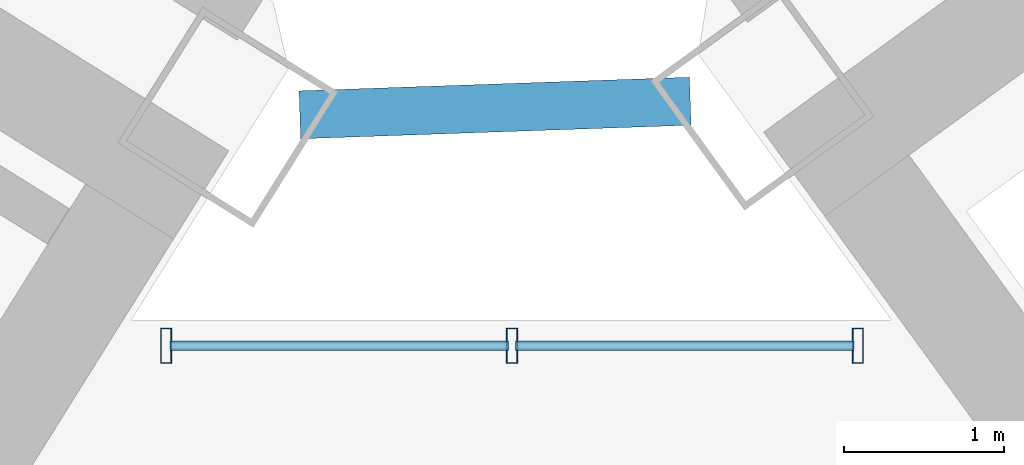
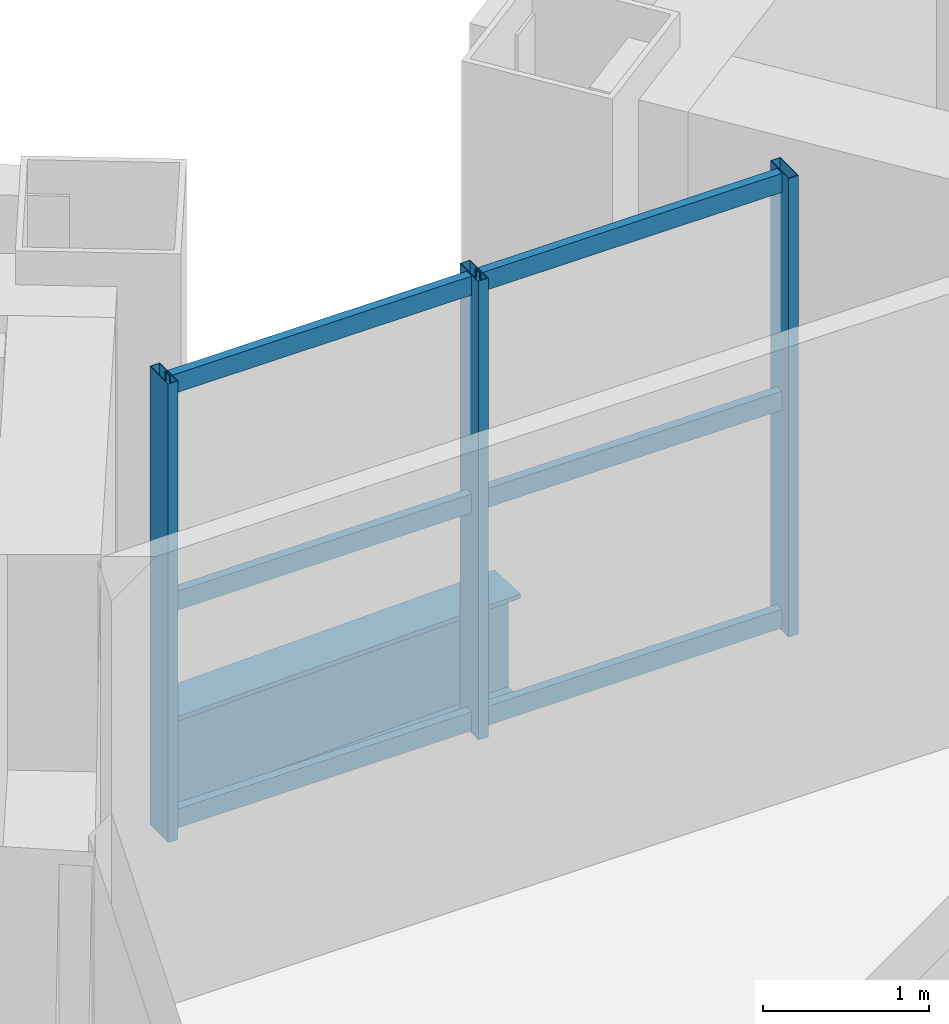
# One storey, part 11 of 24: 9 members, 1 beam, 1 element without a shape of its own.
"""IFC4 building model written with IfcOpenShell, lengths in metres."""

from ifc_helpers import new_model, si_unit, direction, frame, origin, origin_2d, place, context, subcontext, project, spatial, hollow_rectangle, i_section, extrude, source, transform, mapped, material, material_profile, profile_set, type_object, element, aggregate, save


model = new_model("IFC4")

# Units and contexts
model_context = context("Model", 3, precision=1e-05, world=origin(), true_north=direction((0.0, 1.0)))
body_context = subcontext(model_context, "Body", "Model", "MODEL_VIEW")
ifc_project = project(units=[si_unit("LENGTHUNIT", "METRE"), si_unit("AREAUNIT", "SQUARE_METRE"), si_unit("VOLUMEUNIT", "CUBIC_METRE"), si_unit("PLANEANGLEUNIT", "RADIAN"), si_unit("MASSUNIT", "GRAM", prefix="KILO")], contexts=[model_context])

# Site, building, storey
site_placement = place(None, origin())
site = spatial("IfcSite", under=ifc_project, at=site_placement, CompositionType="ELEMENT")
building_placement = place(site_placement, origin())
building = spatial("IfcBuilding", under=site, at=building_placement, Name="Tlacorven Tower", CompositionType="ELEMENT")
storey_placement = place(building_placement, frame((0.0, 0.0, 60.0)))
storey = spatial("IfcBuildingStorey", under=building, at=storey_placement, Name="L15", CompositionType="ELEMENT", Elevation=60.0)

# Beam
ifc_material_1 = material(Name="Steel S355J2", Category="steel")
ifc_material_profile_1 = material_profile(ifc_material_1, i_section(OverallWidth=0.300048828125, OverallDepth=0.800048828125, WebThickness=0.017578125, FlangeThickness=0.032958984375, at=origin_2d()), Name="HEB 800")
ifc_profile_set_1 = profile_set([ifc_material_profile_1], Name="Steel S355J2")
beam_type = type_object("IfcBeamType", Name="BM-POD-800", PredefinedType="BEAM", material=ifc_profile_set_1)
shared_shape_1 = source(origin(), body_context, "Body", "SweptSolid", [
    extrude(i_section(OverallWidth=0.300048828125, OverallDepth=0.800048828125, WebThickness=0.017578125, FlangeThickness=0.032958984375, at=origin_2d()), origin(), (0.0, 0.0, 1.0), 2.44287109375),
])
beam_placement = place(storey_placement, frame((41.232666015625, 24.484130859375, -0.64990234375), z_axis=(0.999391550767, 0.034878765122, 0.0), x_axis=(-0.034878765122, 0.999391550767, 0.0)))
element("IfcBeam", 1, at=beam_placement, inside=storey, type_object=beam_type, Name="L15 Knuckle Link Girder 1", PredefinedType="BEAM", context=body_context, shape_type="MappedRepresentation", body=[
    mapped(shared_shape_1, transform((0.0, 0.0, 0.0), scale=1.0)),
])

# Curtain wall, members
ifc_material_2 = material(Name="Dark solar low-E double glazing in aluminium frame", Category="aluminium")
curtain_wall_type = type_object("IfcCurtainWallType", Name="CW-TWR-LOW", PredefinedType="USERDEFINED", material=ifc_material_2)
curtain_wall_placement = place(storey_placement, origin())
curtain_wall = element("IfcCurtainWall", 2, at=curtain_wall_placement, inside=storey, type_object=curtain_wall_type, Name="L15 CW-TWR-LOW Curtain Wall 86", ObjectType="UNITISED CURTAIN WALL", PredefinedType="USERDEFINED")
ifc_material_3 = material(Name="Aluminium 6063-T6 anodised", Category="aluminium")
ifc_material_profile_2 = material_profile(ifc_material_3, hollow_rectangle(XDim=0.070068359375, YDim=0.219970703125, WallThickness=0.0048828125, at=origin_2d()), Name="ALU MULLION 70X220")
ifc_profile_set_2 = profile_set([ifc_material_profile_2], Name="Aluminium 6063-T6 anodised")
member_type_1 = type_object("IfcMemberType", Name="CWM-01", PredefinedType="MULLION", material=ifc_profile_set_2)
shared_shape_2 = source(origin(), body_context, "Body", "SweptSolid", [
    extrude(hollow_rectangle(XDim=0.070068359375, YDim=0.219970703125, WallThickness=0.0048828125, at=origin_2d()), origin(), (0.0, 0.0, 1.0), 3.380126953125),
])
member_1_placement = place(storey_placement, frame((40.396728515625, 23.0400390625, -0.02001953125), z_axis=(0.0, 0.0, 1.0), x_axis=(1.0, 0.0, 0.0)))
member_1 = element("IfcMember", 3, at=member_1_placement, type_object=member_type_1, Name="CW-L15-086 Mullion 1", PredefinedType="MULLION", context=body_context, shape_type="MappedRepresentation", body=[
    mapped(shared_shape_2, transform((0.0, 0.0, 0.0), scale=1.0)),
])
member_2_placement = place(storey_placement, frame((42.559326171875, 23.0400390625, -0.02001953125), z_axis=(0.0, 0.0, 1.0), x_axis=(1.0, 0.0, 0.0)))
member_2 = element("IfcMember", 4, at=member_2_placement, type_object=member_type_1, Name="CW-L15-086 Mullion 2", PredefinedType="MULLION", context=body_context, shape_type="MappedRepresentation", body=[
    mapped(shared_shape_2, transform((0.0, 0.0, 0.0), scale=1.0)),
])
member_3_placement = place(storey_placement, frame((44.721923828125, 23.0400390625, -0.02001953125), z_axis=(0.0, 0.0, 1.0), x_axis=(1.0, 0.0, 0.0)))
member_3 = element("IfcMember", 5, at=member_3_placement, type_object=member_type_1, Name="CW-L15-086 Mullion 3", PredefinedType="MULLION", context=body_context, shape_type="MappedRepresentation", body=[
    mapped(shared_shape_2, transform((0.0, 0.0, 0.0), scale=1.0)),
])
ifc_material_profile_3 = material_profile(ifc_material_3, hollow_rectangle(XDim=0.06005859375, YDim=0.139892578125, WallThickness=0.00390625, at=origin_2d()), Name="ALU TRANSOM 60X140")
ifc_profile_set_3 = profile_set([ifc_material_profile_3], Name="Aluminium 6063-T6 anodised")
member_type_2 = type_object("IfcMemberType", Name="CWT-02", PredefinedType="USERDEFINED", material=ifc_profile_set_3)
shared_shape_3 = source(origin(), body_context, "Body", "SweptSolid", [
    extrude(hollow_rectangle(XDim=0.06005859375, YDim=0.139892578125, WallThickness=0.00390625, at=origin_2d()), origin(), (0.0, 0.0, 1.0), 2.116455078125),
])
member_4_placement = place(storey_placement, frame((40.419921875, 23.0400390625, 0.070068359375), z_axis=(1.0, 0.0, 0.0), x_axis=(0.0, 1.0, 0.0)))
member_4 = element("IfcMember", 6, at=member_4_placement, type_object=member_type_2, Name="CW-L15-086 Transom 1", ObjectType="TRANSOM", PredefinedType="USERDEFINED", context=body_context, shape_type="MappedRepresentation", body=[
    mapped(shared_shape_3, transform((0.0, 0.0, 0.0), scale=1.0)),
])
member_5_placement = place(storey_placement, frame((40.419921875, 23.0400390625, 1.675048828125), z_axis=(1.0, 0.0, 0.0), x_axis=(0.0, 1.0, 0.0)))
member_5 = element("IfcMember", 7, at=member_5_placement, type_object=member_type_2, Name="CW-L15-086 Transom 2", ObjectType="TRANSOM", PredefinedType="USERDEFINED", context=body_context, shape_type="MappedRepresentation", body=[
    mapped(shared_shape_3, transform((0.0, 0.0, 0.0), scale=1.0)),
])
member_6_placement = place(storey_placement, frame((40.419921875, 23.0400390625, 3.280029296875), z_axis=(1.0, 0.0, 0.0), x_axis=(0.0, 1.0, 0.0)))
member_6 = element("IfcMember", 8, at=member_6_placement, type_object=member_type_2, Name="CW-L15-086 Transom 3", ObjectType="TRANSOM", PredefinedType="USERDEFINED", context=body_context, shape_type="MappedRepresentation", body=[
    mapped(shared_shape_3, transform((0.0, 0.0, 0.0), scale=1.0)),
])
shared_shape_4 = source(origin(), body_context, "Body", "SweptSolid", [
    extrude(hollow_rectangle(XDim=0.06005859375, YDim=0.139892578125, WallThickness=0.00390625, at=origin_2d()), origin(), (0.0, 0.0, 1.0), 2.11669921875),
])
member_7_placement = place(storey_placement, frame((42.582275390625, 23.0400390625, 0.070068359375), z_axis=(1.0, 0.0, 0.0), x_axis=(0.0, 1.0, 0.0)))
member_7 = element("IfcMember", 9, at=member_7_placement, type_object=member_type_2, Name="CW-L15-086 Transom 4", ObjectType="TRANSOM", PredefinedType="USERDEFINED", context=body_context, shape_type="MappedRepresentation", body=[
    mapped(shared_shape_4, transform((0.0, 0.0, 0.0), scale=1.0)),
])
member_8_placement = place(storey_placement, frame((42.582275390625, 23.0400390625, 1.675048828125), z_axis=(1.0, 0.0, 0.0), x_axis=(0.0, 1.0, 0.0)))
member_8 = element("IfcMember", 10, at=member_8_placement, type_object=member_type_2, Name="CW-L15-086 Transom 5", ObjectType="TRANSOM", PredefinedType="USERDEFINED", context=body_context, shape_type="MappedRepresentation", body=[
    mapped(shared_shape_4, transform((0.0, 0.0, 0.0), scale=1.0)),
])
member_9_placement = place(storey_placement, frame((42.582275390625, 23.0400390625, 3.280029296875), z_axis=(1.0, 0.0, 0.0), x_axis=(0.0, 1.0, 0.0)))
member_9 = element("IfcMember", 11, at=member_9_placement, type_object=member_type_2, Name="CW-L15-086 Transom 6", ObjectType="TRANSOM", PredefinedType="USERDEFINED", context=body_context, shape_type="MappedRepresentation", body=[
    mapped(shared_shape_4, transform((0.0, 0.0, 0.0), scale=1.0)),
])
aggregate(curtain_wall, [member_1, member_2, member_3, member_4, member_5, member_6, member_7, member_8, member_9])

save(model, "model.ifc")
